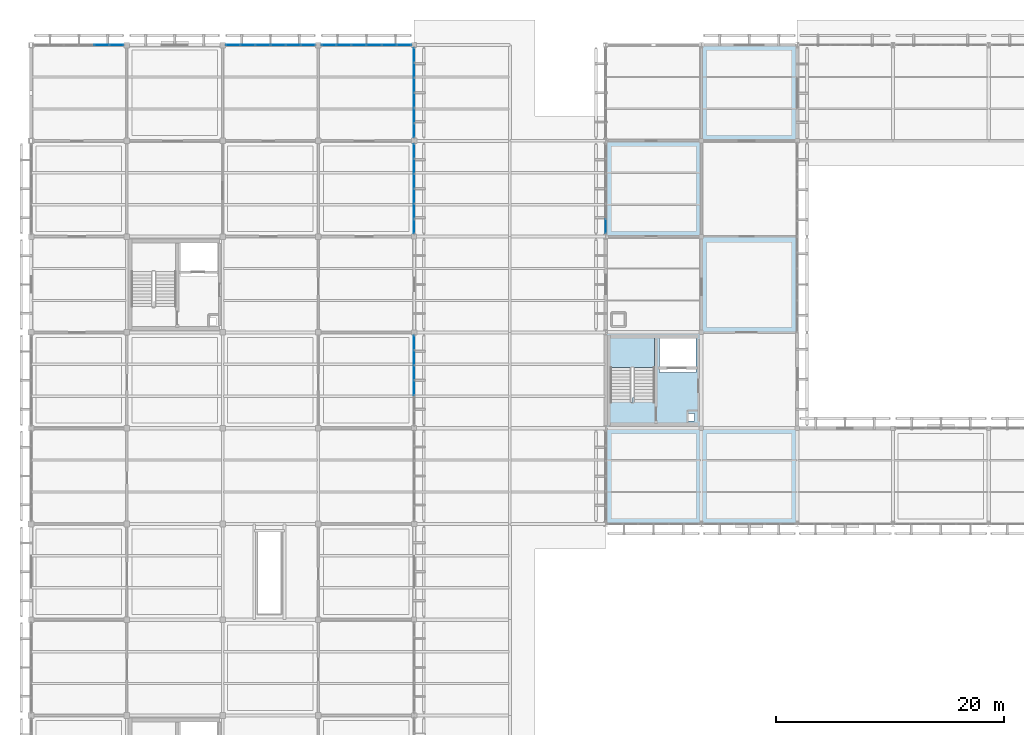
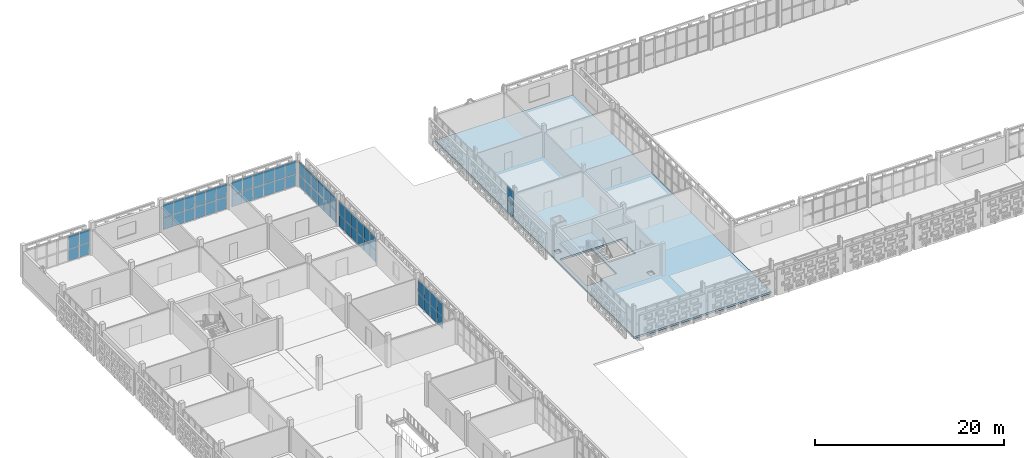
# One storey, part 83 of 166: 62 plates, 2 slabs, 8 elements without a shape of their own.
"""IFC4 building model written with IfcOpenShell, lengths in metres."""

from ifc_helpers import new_model, si_unit, direction, frame, origin, origin_2d, place, context, subcontext, project, spatial, polyline, rectangle, outline, extrude, material, layer, layer_set, type_object, element, aggregate, save


model = new_model("IFC4")

# Units and contexts
model_context = context("Model", 3, precision=1e-05, world=origin(), true_north=direction((0.0, 1.0)))
body_context = subcontext(model_context, "Body", "Model", "MODEL_VIEW")
ifc_project = project(units=[si_unit("LENGTHUNIT", "METRE"), si_unit("AREAUNIT", "SQUARE_METRE"), si_unit("VOLUMEUNIT", "CUBIC_METRE"), si_unit("PLANEANGLEUNIT", "RADIAN"), si_unit("MASSUNIT", "GRAM", prefix="KILO")], contexts=[model_context])

# Site, building, storey
site_placement = place(None, origin())
site = spatial("IfcSite", under=ifc_project, at=site_placement, CompositionType="ELEMENT")
building_placement = place(site_placement, origin())
building = spatial("IfcBuilding", under=site, at=building_placement, Name="Varnapada Polytechnic", CompositionType="ELEMENT")
storey_placement = place(building_placement, frame((0.0, 0.0, 9.60009765625)))
storey = spatial("IfcBuildingStorey", under=building, at=storey_placement, Name="L02", CompositionType="ELEMENT", Elevation=9.60009765625)

# Curtain wall, plates
ifc_material_1 = material(Name="Double low-E laminated glass", Category="glass")
ifc_layer_1 = layer(ifc_material_1, 0.159912109375)
ifc_layer_set_1 = layer_set([ifc_layer_1], Name="Double low-E laminated glass")
curtain_wall_type_1 = type_object("IfcCurtainWallType", Name="Curtain Wall CW-02", PredefinedType="NOTDEFINED", material=ifc_layer_set_1)
curtain_wall_1_placement = place(storey_placement, origin())
curtain_wall_1 = element("IfcCurtainWall", 1, at=curtain_wall_1_placement, inside=storey, type_object=curtain_wall_type_1, Name="L02 unitised curtain wall CW-02 (160)", PredefinedType="NOTDEFINED")
ifc_layer_2 = layer(ifc_material_1, 0.028076171875)
ifc_layer_set_2 = layer_set([ifc_layer_2], Name="Double low-E laminated glass")
plate_type_1 = type_object("IfcPlateType", Name="Curtain Panel PNL-01", PredefinedType="CURTAIN_PANEL", material=ifc_layer_set_2)
plate_1_placement = place(storey_placement, frame((50.39990234375, 110.1025390625, 0.06005859375), z_axis=(0.0, 0.0, 1.0), x_axis=(0.0, 1.0, 0.0)))
plate_1 = element("IfcPlate", 2, at=plate_1_placement, type_object=plate_type_1, Name="CW-02 panel 1.1", PredefinedType="CURTAIN_PANEL", context=body_context, shape_type="SweptSolid", body=[
    extrude(rectangle(XDim=1.235107421875, YDim=0.028076171875, at=origin_2d()), origin(), (0.0, 0.0, 1.0), 1.522705078125),
])
plate_2_placement = place(storey_placement, frame((50.39990234375, 110.1025390625, 1.642578125), z_axis=(0.0, 0.0, 1.0), x_axis=(0.0, 1.0, 0.0)))
plate_2 = element("IfcPlate", 3, at=plate_2_placement, type_object=plate_type_1, Name="CW-02 panel 1.2", PredefinedType="CURTAIN_PANEL", context=body_context, shape_type="SweptSolid", body=[
    extrude(rectangle(XDim=1.235107421875, YDim=0.028076171875, at=origin_2d()), origin(), (0.0, 0.0, 1.0), 1.6572265625),
])
aggregate(curtain_wall_1, [plate_1, plate_2])

ifc_layer_3 = layer(ifc_material_1, 0.179931640625)
ifc_layer_set_3 = layer_set([ifc_layer_3], Name="Double low-E laminated glass")
curtain_wall_type_2 = type_object("IfcCurtainWallType", Name="Curtain Wall CW-03", PredefinedType="NOTDEFINED", material=ifc_layer_set_3)
curtain_wall_2_placement = place(storey_placement, origin())
curtain_wall_2 = element("IfcCurtainWall", 4, at=curtain_wall_2_placement, inside=storey, type_object=curtain_wall_type_2, Name="L02 unitised curtain wall CW-03 (135)", PredefinedType="NOTDEFINED")
ifc_layer_4 = layer(ifc_material_1, 0.031982421875)
ifc_layer_set_4 = layer_set([ifc_layer_4], Name="Double low-E laminated glass")
plate_type_2 = type_object("IfcPlateType", Name="Curtain Panel PNL-02", PredefinedType="CURTAIN_PANEL", material=ifc_layer_set_4)
plate_3_placement = place(storey_placement, frame((6.179931640625, 126.0, 0.06494140625), z_axis=(0.0, 0.0, 1.0), x_axis=(1.0, 0.0, 0.0)))
plate_3 = element("IfcPlate", 5, at=plate_3_placement, type_object=plate_type_2, Name="CW-03 panel 5.1", PredefinedType="CURTAIN_PANEL", context=body_context, shape_type="SweptSolid", body=[
    extrude(rectangle(XDim=1.2548828125, YDim=0.031982421875, at=origin_2d()), origin(), (0.0, 0.0, 1.0), 1.515380859375),
])
plate_4_placement = place(storey_placement, frame((6.179931640625, 126.0, 1.64501953125), z_axis=(0.0, 0.0, 1.0), x_axis=(1.0, 0.0, 0.0)))
plate_4 = element("IfcPlate", 6, at=plate_4_placement, type_object=plate_type_2, Name="CW-03 panel 5.2", PredefinedType="CURTAIN_PANEL", context=body_context, shape_type="SweptSolid", body=[
    extrude(rectangle(XDim=1.2548828125, YDim=0.031982421875, at=origin_2d()), origin(), (0.0, 0.0, 1.0), 1.649658203125),
])
plate_5_placement = place(storey_placement, frame((7.483642578125, 126.0, 0.06494140625), z_axis=(0.0, 0.0, 1.0), x_axis=(1.0, 0.0, 0.0)))
plate_5 = element("IfcPlate", 7, at=plate_5_placement, type_object=plate_type_2, Name="CW-03 panel 6.1", PredefinedType="CURTAIN_PANEL", context=body_context, shape_type="SweptSolid", body=[
    extrude(rectangle(XDim=1.222412109375, YDim=0.031982421875, at=origin_2d()), origin(), (0.0, 0.0, 1.0), 1.515380859375),
])
plate_6_placement = place(storey_placement, frame((7.483642578125, 126.0, 1.64501953125), z_axis=(0.0, 0.0, 1.0), x_axis=(1.0, 0.0, 0.0)))
plate_6 = element("IfcPlate", 8, at=plate_6_placement, type_object=plate_type_2, Name="CW-03 panel 6.2", PredefinedType="CURTAIN_PANEL", context=body_context, shape_type="SweptSolid", body=[
    extrude(rectangle(XDim=1.222412109375, YDim=0.031982421875, at=origin_2d()), origin(), (0.0, 0.0, 1.0), 1.649658203125),
])
aggregate(curtain_wall_2, [plate_3, plate_4, plate_5, plate_6])

curtain_wall_3_placement = place(storey_placement, origin())
curtain_wall_3 = element("IfcCurtainWall", 9, at=curtain_wall_3_placement, inside=storey, type_object=curtain_wall_type_2, Name="L02 unitised curtain wall CW-03 (142)", PredefinedType="NOTDEFINED")
plate_7_placement = place(storey_placement, frame((17.71630859375, 126.0, 0.06494140625), z_axis=(0.0, 0.0, 1.0), x_axis=(1.0, 0.0, 0.0)))
plate_7 = element("IfcPlate", 10, at=plate_7_placement, type_object=plate_type_2, Name="CW-03 panel 1.1", PredefinedType="CURTAIN_PANEL", context=body_context, shape_type="SweptSolid", body=[
    extrude(rectangle(XDim=1.222412109375, YDim=0.031982421875, at=origin_2d()), origin(), (0.0, 0.0, 1.0), 1.515380859375),
])
plate_8_placement = place(storey_placement, frame((17.71630859375, 126.0, 1.64501953125), z_axis=(0.0, 0.0, 1.0), x_axis=(1.0, 0.0, 0.0)))
plate_8 = element("IfcPlate", 11, at=plate_8_placement, type_object=plate_type_2, Name="CW-03 panel 1.2", PredefinedType="CURTAIN_PANEL", context=body_context, shape_type="SweptSolid", body=[
    extrude(rectangle(XDim=1.222412109375, YDim=0.031982421875, at=origin_2d()), origin(), (0.0, 0.0, 1.0), 1.649658203125),
])
plate_9_placement = place(storey_placement, frame((19.02001953125, 126.0, 0.06494140625), z_axis=(0.0, 0.0, 1.0), x_axis=(1.0, 0.0, 0.0)))
plate_9 = element("IfcPlate", 12, at=plate_9_placement, type_object=plate_type_2, Name="CW-03 panel 2.1", PredefinedType="CURTAIN_PANEL", context=body_context, shape_type="SweptSolid", body=[
    extrude(rectangle(XDim=1.2548828125, YDim=0.031982421875, at=origin_2d()), origin(), (0.0, 0.0, 1.0), 1.515380859375),
])
plate_10_placement = place(storey_placement, frame((19.02001953125, 126.0, 1.64501953125), z_axis=(0.0, 0.0, 1.0), x_axis=(1.0, 0.0, 0.0)))
plate_10 = element("IfcPlate", 13, at=plate_10_placement, type_object=plate_type_2, Name="CW-03 panel 2.2", PredefinedType="CURTAIN_PANEL", context=body_context, shape_type="SweptSolid", body=[
    extrude(rectangle(XDim=1.2548828125, YDim=0.031982421875, at=origin_2d()), origin(), (0.0, 0.0, 1.0), 1.649658203125),
])
plate_11_placement = place(storey_placement, frame((20.340087890625, 126.0, 0.06494140625), z_axis=(0.0, 0.0, 1.0), x_axis=(1.0, 0.0, 0.0)))
plate_11 = element("IfcPlate", 14, at=plate_11_placement, type_object=plate_type_2, Name="CW-03 panel 3.1", PredefinedType="CURTAIN_PANEL", context=body_context, shape_type="SweptSolid", body=[
    extrude(rectangle(XDim=1.2548828125, YDim=0.031982421875, at=origin_2d()), origin(), (0.0, 0.0, 1.0), 1.515380859375),
])
plate_12_placement = place(storey_placement, frame((20.340087890625, 126.0, 1.64501953125), z_axis=(0.0, 0.0, 1.0), x_axis=(1.0, 0.0, 0.0)))
plate_12 = element("IfcPlate", 15, at=plate_12_placement, type_object=plate_type_2, Name="CW-03 panel 3.2", PredefinedType="CURTAIN_PANEL", context=body_context, shape_type="SweptSolid", body=[
    extrude(rectangle(XDim=1.2548828125, YDim=0.031982421875, at=origin_2d()), origin(), (0.0, 0.0, 1.0), 1.649658203125),
])
plate_13_placement = place(storey_placement, frame((21.659912109375, 126.0, 0.06494140625), z_axis=(0.0, 0.0, 1.0), x_axis=(1.0, 0.0, 0.0)))
plate_13 = element("IfcPlate", 16, at=plate_13_placement, type_object=plate_type_2, Name="CW-03 panel 4.1", PredefinedType="CURTAIN_PANEL", context=body_context, shape_type="SweptSolid", body=[
    extrude(rectangle(XDim=1.2548828125, YDim=0.031982421875, at=origin_2d()), origin(), (0.0, 0.0, 1.0), 1.515380859375),
])
plate_14_placement = place(storey_placement, frame((21.659912109375, 126.0, 1.64501953125), z_axis=(0.0, 0.0, 1.0), x_axis=(1.0, 0.0, 0.0)))
plate_14 = element("IfcPlate", 17, at=plate_14_placement, type_object=plate_type_2, Name="CW-03 panel 4.2", PredefinedType="CURTAIN_PANEL", context=body_context, shape_type="SweptSolid", body=[
    extrude(rectangle(XDim=1.2548828125, YDim=0.031982421875, at=origin_2d()), origin(), (0.0, 0.0, 1.0), 1.649658203125),
])
plate_15_placement = place(storey_placement, frame((22.97998046875, 126.0, 0.06494140625), z_axis=(0.0, 0.0, 1.0), x_axis=(1.0, 0.0, 0.0)))
plate_15 = element("IfcPlate", 18, at=plate_15_placement, type_object=plate_type_2, Name="CW-03 panel 5.1", PredefinedType="CURTAIN_PANEL", context=body_context, shape_type="SweptSolid", body=[
    extrude(rectangle(XDim=1.2548828125, YDim=0.031982421875, at=origin_2d()), origin(), (0.0, 0.0, 1.0), 1.515380859375),
])
plate_16_placement = place(storey_placement, frame((22.97998046875, 126.0, 1.64501953125), z_axis=(0.0, 0.0, 1.0), x_axis=(1.0, 0.0, 0.0)))
plate_16 = element("IfcPlate", 19, at=plate_16_placement, type_object=plate_type_2, Name="CW-03 panel 5.2", PredefinedType="CURTAIN_PANEL", context=body_context, shape_type="SweptSolid", body=[
    extrude(rectangle(XDim=1.2548828125, YDim=0.031982421875, at=origin_2d()), origin(), (0.0, 0.0, 1.0), 1.649658203125),
])
plate_17_placement = place(storey_placement, frame((24.28369140625, 126.0, 0.06494140625), z_axis=(0.0, 0.0, 1.0), x_axis=(1.0, 0.0, 0.0)))
plate_17 = element("IfcPlate", 20, at=plate_17_placement, type_object=plate_type_2, Name="CW-03 panel 6.1", PredefinedType="CURTAIN_PANEL", context=body_context, shape_type="SweptSolid", body=[
    extrude(rectangle(XDim=1.222412109375, YDim=0.031982421875, at=origin_2d()), origin(), (0.0, 0.0, 1.0), 1.515380859375),
])
plate_18_placement = place(storey_placement, frame((24.28369140625, 126.0, 1.64501953125), z_axis=(0.0, 0.0, 1.0), x_axis=(1.0, 0.0, 0.0)))
plate_18 = element("IfcPlate", 21, at=plate_18_placement, type_object=plate_type_2, Name="CW-03 panel 6.2", PredefinedType="CURTAIN_PANEL", context=body_context, shape_type="SweptSolid", body=[
    extrude(rectangle(XDim=1.222412109375, YDim=0.031982421875, at=origin_2d()), origin(), (0.0, 0.0, 1.0), 1.649658203125),
])
aggregate(curtain_wall_3, [plate_7, plate_8, plate_9, plate_10, plate_11, plate_12, plate_13, plate_14, plate_15, plate_16, plate_17, plate_18])

curtain_wall_4_placement = place(storey_placement, origin())
curtain_wall_4 = element("IfcCurtainWall", 22, at=curtain_wall_4_placement, inside=storey, type_object=curtain_wall_type_2, Name="L02 unitised curtain wall CW-03 (147)", PredefinedType="NOTDEFINED")
plate_19_placement = place(storey_placement, frame((33.60009765625, 99.891357421875, 0.06494140625), z_axis=(0.0, 0.0, 1.0), x_axis=(0.0, -1.0, 0.0)))
plate_19 = element("IfcPlate", 23, at=plate_19_placement, type_object=plate_type_2, Name="CW-03 panel 1.1", PredefinedType="CURTAIN_PANEL", context=body_context, shape_type="SweptSolid", body=[
    extrude(rectangle(XDim=1.2275390625, YDim=0.031982421875, at=origin_2d()), origin(), (0.0, 0.0, 1.0), 1.515380859375),
])
plate_20_placement = place(storey_placement, frame((33.60009765625, 99.891357421875, 1.64501953125), z_axis=(0.0, 0.0, 1.0), x_axis=(0.0, -1.0, 0.0)))
plate_20 = element("IfcPlate", 24, at=plate_20_placement, type_object=plate_type_2, Name="CW-03 panel 1.2", PredefinedType="CURTAIN_PANEL", context=body_context, shape_type="SweptSolid", body=[
    extrude(rectangle(XDim=1.2275390625, YDim=0.031982421875, at=origin_2d()), origin(), (0.0, 0.0, 1.0), 1.649658203125),
])
plate_21_placement = place(storey_placement, frame((33.60009765625, 98.58251953125, 0.06494140625), z_axis=(0.0, 0.0, 1.0), x_axis=(0.0, -1.0, 0.0)))
plate_21 = element("IfcPlate", 25, at=plate_21_placement, type_object=plate_type_2, Name="CW-03 panel 2.1", PredefinedType="CURTAIN_PANEL", context=body_context, shape_type="SweptSolid", body=[
    extrude(rectangle(XDim=1.260009765625, YDim=0.031982421875, at=origin_2d()), origin(), (0.0, 0.0, 1.0), 1.515380859375),
])
plate_22_placement = place(storey_placement, frame((33.60009765625, 98.58251953125, 1.64501953125), z_axis=(0.0, 0.0, 1.0), x_axis=(0.0, -1.0, 0.0)))
plate_22 = element("IfcPlate", 26, at=plate_22_placement, type_object=plate_type_2, Name="CW-03 panel 2.2", PredefinedType="CURTAIN_PANEL", context=body_context, shape_type="SweptSolid", body=[
    extrude(rectangle(XDim=1.260009765625, YDim=0.031982421875, at=origin_2d()), origin(), (0.0, 0.0, 1.0), 1.649658203125),
])
plate_23_placement = place(storey_placement, frame((33.60009765625, 97.257568359375, 0.06494140625), z_axis=(0.0, 0.0, 1.0), x_axis=(0.0, -1.0, 0.0)))
plate_23 = element("IfcPlate", 27, at=plate_23_placement, type_object=plate_type_2, Name="CW-03 panel 3.1", PredefinedType="CURTAIN_PANEL", context=body_context, shape_type="SweptSolid", body=[
    extrude(rectangle(XDim=1.260009765625, YDim=0.031982421875, at=origin_2d()), origin(), (0.0, 0.0, 1.0), 1.515380859375),
])
plate_24_placement = place(storey_placement, frame((33.60009765625, 97.257568359375, 1.64501953125), z_axis=(0.0, 0.0, 1.0), x_axis=(0.0, -1.0, 0.0)))
plate_24 = element("IfcPlate", 28, at=plate_24_placement, type_object=plate_type_2, Name="CW-03 panel 3.2", PredefinedType="CURTAIN_PANEL", context=body_context, shape_type="SweptSolid", body=[
    extrude(rectangle(XDim=1.260009765625, YDim=0.031982421875, at=origin_2d()), origin(), (0.0, 0.0, 1.0), 1.649658203125),
])
plate_25_placement = place(storey_placement, frame((33.60009765625, 95.9326171875, 0.06494140625), z_axis=(0.0, 0.0, 1.0), x_axis=(0.0, -1.0, 0.0)))
plate_25 = element("IfcPlate", 29, at=plate_25_placement, type_object=plate_type_2, Name="CW-03 panel 4.1", PredefinedType="CURTAIN_PANEL", context=body_context, shape_type="SweptSolid", body=[
    extrude(rectangle(XDim=1.260009765625, YDim=0.031982421875, at=origin_2d()), origin(), (0.0, 0.0, 1.0), 1.515380859375),
])
plate_26_placement = place(storey_placement, frame((33.60009765625, 95.9326171875, 1.64501953125), z_axis=(0.0, 0.0, 1.0), x_axis=(0.0, -1.0, 0.0)))
plate_26 = element("IfcPlate", 30, at=plate_26_placement, type_object=plate_type_2, Name="CW-03 panel 4.2", PredefinedType="CURTAIN_PANEL", context=body_context, shape_type="SweptSolid", body=[
    extrude(rectangle(XDim=1.260009765625, YDim=0.031982421875, at=origin_2d()), origin(), (0.0, 0.0, 1.0), 1.649658203125),
])
aggregate(curtain_wall_4, [plate_19, plate_20, plate_21, plate_22, plate_23, plate_24, plate_25, plate_26])

curtain_wall_5_placement = place(storey_placement, origin())
curtain_wall_5 = element("IfcCurtainWall", 31, at=curtain_wall_5_placement, inside=storey, type_object=curtain_wall_type_2, Name="L02 unitised curtain wall CW-03 (148)", PredefinedType="NOTDEFINED")
plate_27_placement = place(storey_placement, frame((33.60009765625, 116.691162109375, 0.06494140625), z_axis=(0.0, 0.0, 1.0), x_axis=(0.0, -1.0, 0.0)))
plate_27 = element("IfcPlate", 32, at=plate_27_placement, type_object=plate_type_2, Name="CW-03 panel 1.1", PredefinedType="CURTAIN_PANEL", context=body_context, shape_type="SweptSolid", body=[
    extrude(rectangle(XDim=1.2275390625, YDim=0.031982421875, at=origin_2d()), origin(), (0.0, 0.0, 1.0), 1.515380859375),
])
plate_28_placement = place(storey_placement, frame((33.60009765625, 116.691162109375, 1.64501953125), z_axis=(0.0, 0.0, 1.0), x_axis=(0.0, -1.0, 0.0)))
plate_28 = element("IfcPlate", 33, at=plate_28_placement, type_object=plate_type_2, Name="CW-03 panel 1.2", PredefinedType="CURTAIN_PANEL", context=body_context, shape_type="SweptSolid", body=[
    extrude(rectangle(XDim=1.2275390625, YDim=0.031982421875, at=origin_2d()), origin(), (0.0, 0.0, 1.0), 1.649658203125),
])
plate_29_placement = place(storey_placement, frame((33.60009765625, 115.382568359375, 0.06494140625), z_axis=(0.0, 0.0, 1.0), x_axis=(0.0, -1.0, 0.0)))
plate_29 = element("IfcPlate", 34, at=plate_29_placement, type_object=plate_type_2, Name="CW-03 panel 2.1", PredefinedType="CURTAIN_PANEL", context=body_context, shape_type="SweptSolid", body=[
    extrude(rectangle(XDim=1.260009765625, YDim=0.031982421875, at=origin_2d()), origin(), (0.0, 0.0, 1.0), 1.515380859375),
])
plate_30_placement = place(storey_placement, frame((33.60009765625, 115.382568359375, 1.64501953125), z_axis=(0.0, 0.0, 1.0), x_axis=(0.0, -1.0, 0.0)))
plate_30 = element("IfcPlate", 35, at=plate_30_placement, type_object=plate_type_2, Name="CW-03 panel 2.2", PredefinedType="CURTAIN_PANEL", context=body_context, shape_type="SweptSolid", body=[
    extrude(rectangle(XDim=1.260009765625, YDim=0.031982421875, at=origin_2d()), origin(), (0.0, 0.0, 1.0), 1.649658203125),
])
plate_31_placement = place(storey_placement, frame((33.60009765625, 114.0576171875, 0.06494140625), z_axis=(0.0, 0.0, 1.0), x_axis=(0.0, -1.0, 0.0)))
plate_31 = element("IfcPlate", 36, at=plate_31_placement, type_object=plate_type_2, Name="CW-03 panel 3.1", PredefinedType="CURTAIN_PANEL", context=body_context, shape_type="SweptSolid", body=[
    extrude(rectangle(XDim=1.260009765625, YDim=0.031982421875, at=origin_2d()), origin(), (0.0, 0.0, 1.0), 1.515380859375),
])
plate_32_placement = place(storey_placement, frame((33.60009765625, 114.0576171875, 1.64501953125), z_axis=(0.0, 0.0, 1.0), x_axis=(0.0, -1.0, 0.0)))
plate_32 = element("IfcPlate", 37, at=plate_32_placement, type_object=plate_type_2, Name="CW-03 panel 3.2", PredefinedType="CURTAIN_PANEL", context=body_context, shape_type="SweptSolid", body=[
    extrude(rectangle(XDim=1.260009765625, YDim=0.031982421875, at=origin_2d()), origin(), (0.0, 0.0, 1.0), 1.649658203125),
])
plate_33_placement = place(storey_placement, frame((33.60009765625, 112.732421875, 0.06494140625), z_axis=(0.0, 0.0, 1.0), x_axis=(0.0, -1.0, 0.0)))
plate_33 = element("IfcPlate", 38, at=plate_33_placement, type_object=plate_type_2, Name="CW-03 panel 4.1", PredefinedType="CURTAIN_PANEL", context=body_context, shape_type="SweptSolid", body=[
    extrude(rectangle(XDim=1.260009765625, YDim=0.031982421875, at=origin_2d()), origin(), (0.0, 0.0, 1.0), 1.515380859375),
])
plate_34_placement = place(storey_placement, frame((33.60009765625, 112.732421875, 1.64501953125), z_axis=(0.0, 0.0, 1.0), x_axis=(0.0, -1.0, 0.0)))
plate_34 = element("IfcPlate", 39, at=plate_34_placement, type_object=plate_type_2, Name="CW-03 panel 4.2", PredefinedType="CURTAIN_PANEL", context=body_context, shape_type="SweptSolid", body=[
    extrude(rectangle(XDim=1.260009765625, YDim=0.031982421875, at=origin_2d()), origin(), (0.0, 0.0, 1.0), 1.649658203125),
])
plate_35_placement = place(storey_placement, frame((33.60009765625, 111.407470703125, 0.06494140625), z_axis=(0.0, 0.0, 1.0), x_axis=(0.0, -1.0, 0.0)))
plate_35 = element("IfcPlate", 40, at=plate_35_placement, type_object=plate_type_2, Name="CW-03 panel 5.1", PredefinedType="CURTAIN_PANEL", context=body_context, shape_type="SweptSolid", body=[
    extrude(rectangle(XDim=1.260009765625, YDim=0.031982421875, at=origin_2d()), origin(), (0.0, 0.0, 1.0), 1.515380859375),
])
plate_36_placement = place(storey_placement, frame((33.60009765625, 111.407470703125, 1.64501953125), z_axis=(0.0, 0.0, 1.0), x_axis=(0.0, -1.0, 0.0)))
plate_36 = element("IfcPlate", 41, at=plate_36_placement, type_object=plate_type_2, Name="CW-03 panel 5.2", PredefinedType="CURTAIN_PANEL", context=body_context, shape_type="SweptSolid", body=[
    extrude(rectangle(XDim=1.260009765625, YDim=0.031982421875, at=origin_2d()), origin(), (0.0, 0.0, 1.0), 1.649658203125),
])
plate_37_placement = place(storey_placement, frame((33.60009765625, 110.0986328125, 0.06494140625), z_axis=(0.0, 0.0, 1.0), x_axis=(0.0, -1.0, 0.0)))
plate_37 = element("IfcPlate", 42, at=plate_37_placement, type_object=plate_type_2, Name="CW-03 panel 6.1", PredefinedType="CURTAIN_PANEL", context=body_context, shape_type="SweptSolid", body=[
    extrude(rectangle(XDim=1.2275390625, YDim=0.031982421875, at=origin_2d()), origin(), (0.0, 0.0, 1.0), 1.515380859375),
])
plate_38_placement = place(storey_placement, frame((33.60009765625, 110.0986328125, 1.64501953125), z_axis=(0.0, 0.0, 1.0), x_axis=(0.0, -1.0, 0.0)))
plate_38 = element("IfcPlate", 43, at=plate_38_placement, type_object=plate_type_2, Name="CW-03 panel 6.2", PredefinedType="CURTAIN_PANEL", context=body_context, shape_type="SweptSolid", body=[
    extrude(rectangle(XDim=1.2275390625, YDim=0.031982421875, at=origin_2d()), origin(), (0.0, 0.0, 1.0), 1.649658203125),
])
aggregate(curtain_wall_5, [plate_27, plate_28, plate_29, plate_30, plate_31, plate_32, plate_33, plate_34, plate_35, plate_36, plate_37, plate_38])

curtain_wall_6_placement = place(storey_placement, origin())
curtain_wall_6 = element("IfcCurtainWall", 44, at=curtain_wall_6_placement, inside=storey, type_object=curtain_wall_type_2, Name="L02 unitised curtain wall CW-03 (149)", PredefinedType="NOTDEFINED")
plate_39_placement = place(storey_placement, frame((26.11865234375, 126.0, 0.06494140625), z_axis=(0.0, 0.0, 1.0), x_axis=(1.0, 0.0, 0.0)))
plate_39 = element("IfcPlate", 45, at=plate_39_placement, type_object=plate_type_2, Name="CW-03 panel 1.1", PredefinedType="CURTAIN_PANEL", context=body_context, shape_type="SweptSolid", body=[
    extrude(rectangle(XDim=1.2275390625, YDim=0.031982421875, at=origin_2d()), origin(), (0.0, 0.0, 1.0), 1.515380859375),
])
plate_40_placement = place(storey_placement, frame((26.11865234375, 126.0, 1.64501953125), z_axis=(0.0, 0.0, 1.0), x_axis=(1.0, 0.0, 0.0)))
plate_40 = element("IfcPlate", 46, at=plate_40_placement, type_object=plate_type_2, Name="CW-03 panel 1.2", PredefinedType="CURTAIN_PANEL", context=body_context, shape_type="SweptSolid", body=[
    extrude(rectangle(XDim=1.2275390625, YDim=0.031982421875, at=origin_2d()), origin(), (0.0, 0.0, 1.0), 1.649658203125),
])
plate_41_placement = place(storey_placement, frame((27.427490234375, 126.0, 0.06494140625), z_axis=(0.0, 0.0, 1.0), x_axis=(1.0, 0.0, 0.0)))
plate_41 = element("IfcPlate", 47, at=plate_41_placement, type_object=plate_type_2, Name="CW-03 panel 2.1", PredefinedType="CURTAIN_PANEL", context=body_context, shape_type="SweptSolid", body=[
    extrude(rectangle(XDim=1.260009765625, YDim=0.031982421875, at=origin_2d()), origin(), (0.0, 0.0, 1.0), 1.515380859375),
])
plate_42_placement = place(storey_placement, frame((27.427490234375, 126.0, 1.64501953125), z_axis=(0.0, 0.0, 1.0), x_axis=(1.0, 0.0, 0.0)))
plate_42 = element("IfcPlate", 48, at=plate_42_placement, type_object=plate_type_2, Name="CW-03 panel 2.2", PredefinedType="CURTAIN_PANEL", context=body_context, shape_type="SweptSolid", body=[
    extrude(rectangle(XDim=1.260009765625, YDim=0.031982421875, at=origin_2d()), origin(), (0.0, 0.0, 1.0), 1.649658203125),
])
plate_43_placement = place(storey_placement, frame((28.75244140625, 126.0, 0.06494140625), z_axis=(0.0, 0.0, 1.0), x_axis=(1.0, 0.0, 0.0)))
plate_43 = element("IfcPlate", 49, at=plate_43_placement, type_object=plate_type_2, Name="CW-03 panel 3.1", PredefinedType="CURTAIN_PANEL", context=body_context, shape_type="SweptSolid", body=[
    extrude(rectangle(XDim=1.260009765625, YDim=0.031982421875, at=origin_2d()), origin(), (0.0, 0.0, 1.0), 1.515380859375),
])
plate_44_placement = place(storey_placement, frame((28.75244140625, 126.0, 1.64501953125), z_axis=(0.0, 0.0, 1.0), x_axis=(1.0, 0.0, 0.0)))
plate_44 = element("IfcPlate", 50, at=plate_44_placement, type_object=plate_type_2, Name="CW-03 panel 3.2", PredefinedType="CURTAIN_PANEL", context=body_context, shape_type="SweptSolid", body=[
    extrude(rectangle(XDim=1.260009765625, YDim=0.031982421875, at=origin_2d()), origin(), (0.0, 0.0, 1.0), 1.649658203125),
])
plate_45_placement = place(storey_placement, frame((30.077392578125, 126.0, 0.06494140625), z_axis=(0.0, 0.0, 1.0), x_axis=(1.0, 0.0, 0.0)))
plate_45 = element("IfcPlate", 51, at=plate_45_placement, type_object=plate_type_2, Name="CW-03 panel 4.1", PredefinedType="CURTAIN_PANEL", context=body_context, shape_type="SweptSolid", body=[
    extrude(rectangle(XDim=1.260009765625, YDim=0.031982421875, at=origin_2d()), origin(), (0.0, 0.0, 1.0), 1.515380859375),
])
plate_46_placement = place(storey_placement, frame((30.077392578125, 126.0, 1.64501953125), z_axis=(0.0, 0.0, 1.0), x_axis=(1.0, 0.0, 0.0)))
plate_46 = element("IfcPlate", 52, at=plate_46_placement, type_object=plate_type_2, Name="CW-03 panel 4.2", PredefinedType="CURTAIN_PANEL", context=body_context, shape_type="SweptSolid", body=[
    extrude(rectangle(XDim=1.260009765625, YDim=0.031982421875, at=origin_2d()), origin(), (0.0, 0.0, 1.0), 1.649658203125),
])
plate_47_placement = place(storey_placement, frame((31.402587890625, 126.0, 0.06494140625), z_axis=(0.0, 0.0, 1.0), x_axis=(1.0, 0.0, 0.0)))
plate_47 = element("IfcPlate", 53, at=plate_47_placement, type_object=plate_type_2, Name="CW-03 panel 5.1", PredefinedType="CURTAIN_PANEL", context=body_context, shape_type="SweptSolid", body=[
    extrude(rectangle(XDim=1.260009765625, YDim=0.031982421875, at=origin_2d()), origin(), (0.0, 0.0, 1.0), 1.515380859375),
])
plate_48_placement = place(storey_placement, frame((31.402587890625, 126.0, 1.64501953125), z_axis=(0.0, 0.0, 1.0), x_axis=(1.0, 0.0, 0.0)))
plate_48 = element("IfcPlate", 54, at=plate_48_placement, type_object=plate_type_2, Name="CW-03 panel 5.2", PredefinedType="CURTAIN_PANEL", context=body_context, shape_type="SweptSolid", body=[
    extrude(rectangle(XDim=1.260009765625, YDim=0.031982421875, at=origin_2d()), origin(), (0.0, 0.0, 1.0), 1.649658203125),
])
plate_49_placement = place(storey_placement, frame((32.711181640625, 126.0, 0.06494140625), z_axis=(0.0, 0.0, 1.0), x_axis=(1.0, 0.0, 0.0)))
plate_49 = element("IfcPlate", 55, at=plate_49_placement, type_object=plate_type_2, Name="CW-03 panel 6.1", PredefinedType="CURTAIN_PANEL", context=body_context, shape_type="SweptSolid", body=[
    extrude(rectangle(XDim=1.2275390625, YDim=0.031982421875, at=origin_2d()), origin(), (0.0, 0.0, 1.0), 1.515380859375),
])
plate_50_placement = place(storey_placement, frame((32.711181640625, 126.0, 1.64501953125), z_axis=(0.0, 0.0, 1.0), x_axis=(1.0, 0.0, 0.0)))
plate_50 = element("IfcPlate", 56, at=plate_50_placement, type_object=plate_type_2, Name="CW-03 panel 6.2", PredefinedType="CURTAIN_PANEL", context=body_context, shape_type="SweptSolid", body=[
    extrude(rectangle(XDim=1.2275390625, YDim=0.031982421875, at=origin_2d()), origin(), (0.0, 0.0, 1.0), 1.649658203125),
])
aggregate(curtain_wall_6, [plate_39, plate_40, plate_41, plate_42, plate_43, plate_44, plate_45, plate_46, plate_47, plate_48, plate_49, plate_50])

curtain_wall_7_placement = place(storey_placement, origin())
curtain_wall_7 = element("IfcCurtainWall", 57, at=curtain_wall_7_placement, inside=storey, type_object=curtain_wall_type_2, Name="L02 unitised curtain wall CW-03 (150)", PredefinedType="NOTDEFINED")
plate_51_placement = place(storey_placement, frame((33.60009765625, 125.1103515625, 0.06494140625), z_axis=(0.0, 0.0, 1.0), x_axis=(0.0, -1.0, 0.0)))
plate_51 = element("IfcPlate", 58, at=plate_51_placement, type_object=plate_type_2, Name="CW-03 panel 1.1", PredefinedType="CURTAIN_PANEL", context=body_context, shape_type="SweptSolid", body=[
    extrude(rectangle(XDim=1.229248046875, YDim=0.031982421875, at=origin_2d()), origin(), (0.0, 0.0, 1.0), 1.515380859375),
])
plate_52_placement = place(storey_placement, frame((33.60009765625, 125.1103515625, 1.64501953125), z_axis=(0.0, 0.0, 1.0), x_axis=(0.0, -1.0, 0.0)))
plate_52 = element("IfcPlate", 59, at=plate_52_placement, type_object=plate_type_2, Name="CW-03 panel 1.2", PredefinedType="CURTAIN_PANEL", context=body_context, shape_type="SweptSolid", body=[
    extrude(rectangle(XDim=1.229248046875, YDim=0.031982421875, at=origin_2d()), origin(), (0.0, 0.0, 1.0), 1.649658203125),
])
plate_53_placement = place(storey_placement, frame((33.60009765625, 123.800048828125, 0.06494140625), z_axis=(0.0, 0.0, 1.0), x_axis=(0.0, -1.0, 0.0)))
plate_53 = element("IfcPlate", 60, at=plate_53_placement, type_object=plate_type_2, Name="CW-03 panel 2.1", PredefinedType="CURTAIN_PANEL", context=body_context, shape_type="SweptSolid", body=[
    extrude(rectangle(XDim=1.26171875, YDim=0.031982421875, at=origin_2d()), origin(), (0.0, 0.0, 1.0), 1.515380859375),
])
plate_54_placement = place(storey_placement, frame((33.60009765625, 123.800048828125, 1.64501953125), z_axis=(0.0, 0.0, 1.0), x_axis=(0.0, -1.0, 0.0)))
plate_54 = element("IfcPlate", 61, at=plate_54_placement, type_object=plate_type_2, Name="CW-03 panel 2.2", PredefinedType="CURTAIN_PANEL", context=body_context, shape_type="SweptSolid", body=[
    extrude(rectangle(XDim=1.26171875, YDim=0.031982421875, at=origin_2d()), origin(), (0.0, 0.0, 1.0), 1.649658203125),
])
plate_55_placement = place(storey_placement, frame((33.60009765625, 122.473388671875, 0.06494140625), z_axis=(0.0, 0.0, 1.0), x_axis=(0.0, -1.0, 0.0)))
plate_55 = element("IfcPlate", 62, at=plate_55_placement, type_object=plate_type_2, Name="CW-03 panel 3.1", PredefinedType="CURTAIN_PANEL", context=body_context, shape_type="SweptSolid", body=[
    extrude(rectangle(XDim=1.26171875, YDim=0.031982421875, at=origin_2d()), origin(), (0.0, 0.0, 1.0), 1.515380859375),
])
plate_56_placement = place(storey_placement, frame((33.60009765625, 122.473388671875, 1.64501953125), z_axis=(0.0, 0.0, 1.0), x_axis=(0.0, -1.0, 0.0)))
plate_56 = element("IfcPlate", 63, at=plate_56_placement, type_object=plate_type_2, Name="CW-03 panel 3.2", PredefinedType="CURTAIN_PANEL", context=body_context, shape_type="SweptSolid", body=[
    extrude(rectangle(XDim=1.26171875, YDim=0.031982421875, at=origin_2d()), origin(), (0.0, 0.0, 1.0), 1.649658203125),
])
plate_57_placement = place(storey_placement, frame((33.60009765625, 121.146728515625, 0.06494140625), z_axis=(0.0, 0.0, 1.0), x_axis=(0.0, -1.0, 0.0)))
plate_57 = element("IfcPlate", 64, at=plate_57_placement, type_object=plate_type_2, Name="CW-03 panel 4.1", PredefinedType="CURTAIN_PANEL", context=body_context, shape_type="SweptSolid", body=[
    extrude(rectangle(XDim=1.26171875, YDim=0.031982421875, at=origin_2d()), origin(), (0.0, 0.0, 1.0), 1.515380859375),
])
plate_58_placement = place(storey_placement, frame((33.60009765625, 121.146728515625, 1.64501953125), z_axis=(0.0, 0.0, 1.0), x_axis=(0.0, -1.0, 0.0)))
plate_58 = element("IfcPlate", 65, at=plate_58_placement, type_object=plate_type_2, Name="CW-03 panel 4.2", PredefinedType="CURTAIN_PANEL", context=body_context, shape_type="SweptSolid", body=[
    extrude(rectangle(XDim=1.26171875, YDim=0.031982421875, at=origin_2d()), origin(), (0.0, 0.0, 1.0), 1.649658203125),
])
plate_59_placement = place(storey_placement, frame((33.60009765625, 119.820068359375, 0.06494140625), z_axis=(0.0, 0.0, 1.0), x_axis=(0.0, -1.0, 0.0)))
plate_59 = element("IfcPlate", 66, at=plate_59_placement, type_object=plate_type_2, Name="CW-03 panel 5.1", PredefinedType="CURTAIN_PANEL", context=body_context, shape_type="SweptSolid", body=[
    extrude(rectangle(XDim=1.26171875, YDim=0.031982421875, at=origin_2d()), origin(), (0.0, 0.0, 1.0), 1.515380859375),
])
plate_60_placement = place(storey_placement, frame((33.60009765625, 119.820068359375, 1.64501953125), z_axis=(0.0, 0.0, 1.0), x_axis=(0.0, -1.0, 0.0)))
plate_60 = element("IfcPlate", 67, at=plate_60_placement, type_object=plate_type_2, Name="CW-03 panel 5.2", PredefinedType="CURTAIN_PANEL", context=body_context, shape_type="SweptSolid", body=[
    extrude(rectangle(XDim=1.26171875, YDim=0.031982421875, at=origin_2d()), origin(), (0.0, 0.0, 1.0), 1.649658203125),
])
plate_61_placement = place(storey_placement, frame((33.60009765625, 118.509521484375, 0.06494140625), z_axis=(0.0, 0.0, 1.0), x_axis=(0.0, -1.0, 0.0)))
plate_61 = element("IfcPlate", 68, at=plate_61_placement, type_object=plate_type_2, Name="CW-03 panel 6.1", PredefinedType="CURTAIN_PANEL", context=body_context, shape_type="SweptSolid", body=[
    extrude(rectangle(XDim=1.229248046875, YDim=0.031982421875, at=origin_2d()), origin(), (0.0, 0.0, 1.0), 1.515380859375),
])
plate_62_placement = place(storey_placement, frame((33.60009765625, 118.509521484375, 1.64501953125), z_axis=(0.0, 0.0, 1.0), x_axis=(0.0, -1.0, 0.0)))
plate_62 = element("IfcPlate", 69, at=plate_62_placement, type_object=plate_type_2, Name="CW-03 panel 6.2", PredefinedType="CURTAIN_PANEL", context=body_context, shape_type="SweptSolid", body=[
    extrude(rectangle(XDim=1.229248046875, YDim=0.031982421875, at=origin_2d()), origin(), (0.0, 0.0, 1.0), 1.649658203125),
])
aggregate(curtain_wall_7, [plate_51, plate_52, plate_53, plate_54, plate_55, plate_56, plate_57, plate_58, plate_59, plate_60, plate_61, plate_62])

# Slab
ifc_material_2 = material(Name="Cross-laminated timber CLT C24", Category="wood")
ifc_layer_5 = layer(ifc_material_2, 0.239990234375)
ifc_layer_set_5 = layer_set([ifc_layer_5], Name="Cross-laminated timber CLT C24")
slab_type_1 = type_object("IfcSlabType", Name="L02/L03 laboratory CLT composite slab SL-06", PredefinedType="FLOOR", material=ifc_layer_set_5)
slab_1_placement = place(storey_placement, frame((0.0, 0.0, -0.239990234375)))
element("IfcSlab", 70, at=slab_1_placement, inside=storey, type_object=slab_type_1, Name="L02 V1 slab 1.1", PredefinedType="FLOOR", context=body_context, shape_type="SweptSolid", body=[
    extrude(outline(polyline([(50.39990234375, 100.800048828125), (50.39990234375, 109.199951171875), (50.39990234375, 117.60009765625), (50.39990234375, 126.0), (58.800048828125, 126.0), (67.199951171875, 126.0), (67.199951171875, 117.60009765625), (67.199951171875, 109.199951171875), (67.199951171875, 100.800048828125), (67.199951171875, 92.39990234375), (67.199951171875, 84.0), (58.800048828125, 84.0), (50.39990234375, 84.0), (50.39990234375, 92.39990234375), (50.39990234375, 100.800048828125)]), holes=[polyline([(50.800048828125, 94.7099609375), (52.75, 94.7099609375), (52.75, 95.110107421875), (54.699951171875, 95.110107421875), (54.699951171875, 100.39990234375), (50.800048828125, 100.39990234375), (50.800048828125, 94.7099609375)]), polyline([(55.10009765625, 97.300048828125), (58.300048828125, 97.300048828125), (58.300048828125, 100.35009765625), (55.10009765625, 100.35009765625), (55.10009765625, 97.300048828125)]), polyline([(57.550048828125, 93.02001953125), (58.199951171875, 93.02001953125), (58.199951171875, 93.669921875), (57.550048828125, 93.669921875), (57.550048828125, 93.02001953125)]), polyline([(51.050048828125, 101.449951171875), (51.64990234375, 101.449951171875), (51.64990234375, 102.050048828125), (51.050048828125, 102.050048828125), (51.050048828125, 101.449951171875)])]), origin(), (0.0, 0.0, 1.0), 0.239990234375),
])

# Stair, slab
ifc_material_3 = material(Name="Concrete C40/50", Category="concrete")
stair_type = type_object("IfcStairType", Name="Core Exit Stair ST-B", PredefinedType="HALF_TURN_STAIR", material=ifc_material_3)
stair_placement = place(storey_placement, origin())
stair = element("IfcStair", 71, at=stair_placement, inside=storey, type_object=stair_type, Name="L02 Core C4 Exit Stair", PredefinedType="HALF_TURN_STAIR")
ifc_layer_6 = layer(ifc_material_3, 0.219970703125)
ifc_layer_set_6 = layer_set([ifc_layer_6], Name="Concrete C40/50")
slab_type_2 = type_object("IfcSlabType", Name="Stair Half Landing SLD-02", PredefinedType="LANDING", material=ifc_layer_set_6)
slab_2_placement = place(storey_placement, frame((0.0, 0.0, 1.8798828125)))
slab_2 = element("IfcSlab", 72, at=slab_2_placement, type_object=slab_type_2, Name="ST-4 landing 1", PredefinedType="LANDING", context=body_context, shape_type="SweptSolid", body=[
    extrude(outline(polyline([(54.699951171875, 97.72998046875), (54.699951171875, 100.39990234375), (50.800048828125, 100.39990234375), (50.800048828125, 97.72998046875), (54.699951171875, 97.72998046875)])), origin(), (0.0, 0.0, 1.0), 0.219970703125),
])
aggregate(stair, [slab_2])

save(model, "model.ifc")
